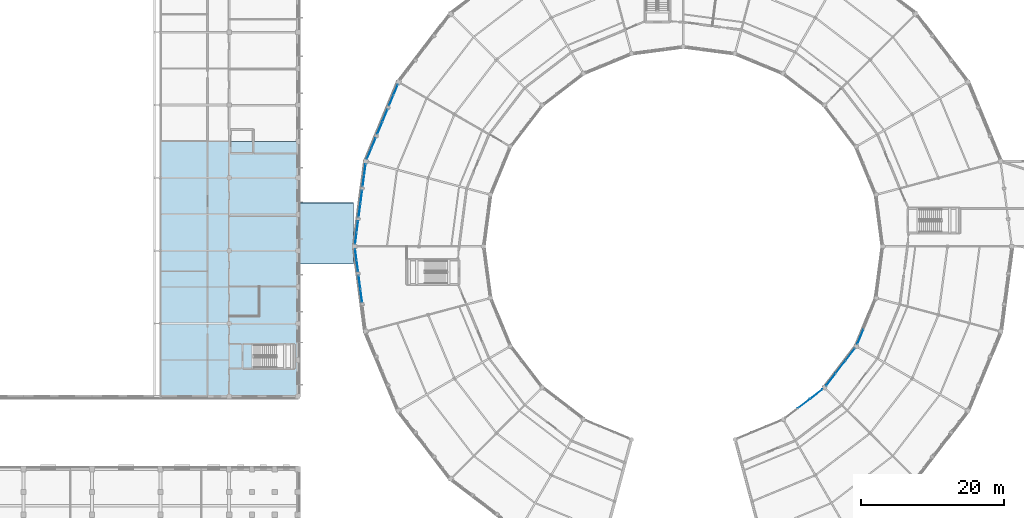
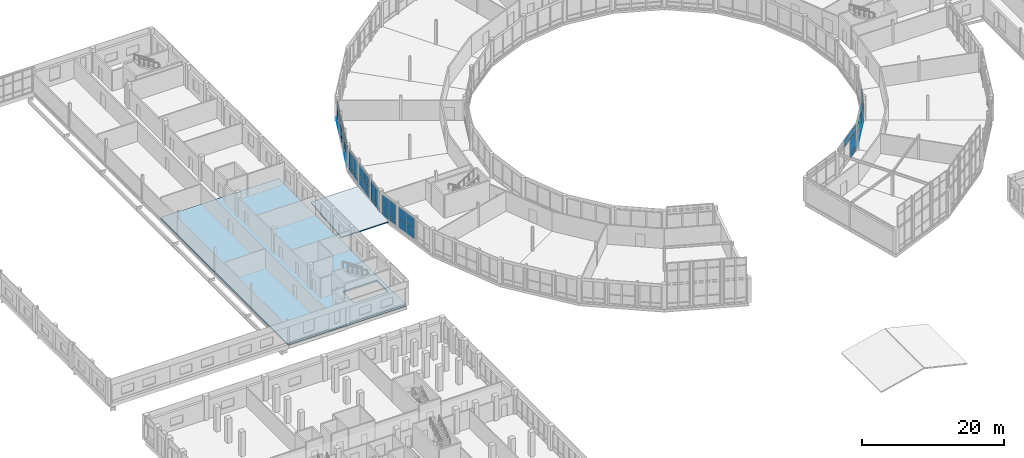
# One storey, part 127 of 170: 44 plates, 2 slabs, 11 elements without a shape of their own.
"""IFC4 building model written with IfcOpenShell, lengths in metres."""

from ifc_helpers import new_model, si_unit, direction, frame, origin, origin_2d, place, context, subcontext, project, spatial, polyline, rectangle, outline, extrude, material, layer, layer_set, type_object, element, aggregate, save


model = new_model("IFC4")

# Units and contexts
model_context = context("Model", 3, precision=1e-05, world=origin(), true_north=direction((0.0, 1.0)))
body_context = subcontext(model_context, "Body", "Model", "MODEL_VIEW")
ifc_project = project(units=[si_unit("LENGTHUNIT", "METRE"), si_unit("AREAUNIT", "SQUARE_METRE"), si_unit("VOLUMEUNIT", "CUBIC_METRE"), si_unit("PLANEANGLEUNIT", "RADIAN"), si_unit("MASSUNIT", "GRAM", prefix="KILO")], contexts=[model_context])

# Site, building, storey
site_placement = place(None, origin())
site = spatial("IfcSite", under=ifc_project, at=site_placement, CompositionType="ELEMENT")
building_placement = place(site_placement, origin())
building = spatial("IfcBuilding", under=site, at=building_placement, Name="Vondelvale Polytechnic", CompositionType="ELEMENT")
storey_placement = place(building_placement, frame((0.0, 0.0, 5.39990234375)))
storey = spatial("IfcBuildingStorey", under=building, at=storey_placement, Name="L01", CompositionType="ELEMENT", Elevation=5.39990234375)

# Curtain wall, plates
ifc_material_1 = material(Name="Glulam GL18 structural Tasmanian oak (fb = 42 MPa)", Category="wood")
curtain_wall_type_1 = type_object("IfcCurtainWallType", Name="CW-RING-OUTER", PredefinedType="NOTDEFINED", material=ifc_material_1)
curtain_wall_1_placement = place(storey_placement, origin())
curtain_wall_1 = element("IfcCurtainWall", 1, at=curtain_wall_1_placement, inside=storey, type_object=curtain_wall_type_1, Name="L01 architectural curtain wall CW-04-230", PredefinedType="NOTDEFINED")
ifc_material_2 = material(Name="Double-glazed low-E insulated architectural glass", Category="glass")
ifc_layer_1 = layer(ifc_material_2, 0.028076171875)
ifc_layer_set_1 = layer_set([ifc_layer_1], Name="CW-PANEL-GLAZED")
plate_type_1 = type_object("IfcPlateType", Name="CW-PANEL-GLAZED", PredefinedType="CURTAIN_PANEL", material=ifc_layer_set_1)
plate_1_placement = place(storey_placement, frame((61.7177734375, 93.92578125, 0.7802734375), z_axis=(0.0, 0.0, 1.0), x_axis=(-0.382677394529, -0.923882033442, 0.0)))
plate_1 = element("IfcPlate", 2, at=plate_1_placement, type_object=plate_type_1, Name="CW-04-230 panel 1.2", PredefinedType="CURTAIN_PANEL", context=body_context, shape_type="SweptSolid", body=[
    extrude(rectangle(XDim=1.530029296875, YDim=0.028076171875, at=origin_2d()), origin(), (0.0, 0.0, 1.0), 2.8798828125),
])
plate_2_placement = place(storey_placement, frame((61.107421875, 92.4521484375, 0.7802734375), z_axis=(0.0, 0.0, 1.0), x_axis=(-0.382677394529, -0.923882033442, 0.0)))
plate_2 = element("IfcPlate", 3, at=plate_2_placement, type_object=plate_type_1, Name="CW-04-230 panel 2.2", PredefinedType="CURTAIN_PANEL", context=body_context, shape_type="SweptSolid", body=[
    extrude(rectangle(XDim=1.530029296875, YDim=0.028076171875, at=origin_2d()), origin(), (0.0, 0.0, 1.0), 2.8798828125),
])

curtain_wall_2_placement = place(storey_placement, origin())
curtain_wall_2 = element("IfcCurtainWall", 4, at=curtain_wall_2_placement, inside=storey, type_object=curtain_wall_type_1, Name="L01 architectural curtain wall CW-04-232", PredefinedType="NOTDEFINED")
plate_3_placement = place(storey_placement, frame((58.622802734375, 86.453369140625, 0.7802734375), z_axis=(0.0, 0.0, 1.0), x_axis=(-0.382677394529, -0.923882033442, 0.0)))
plate_3 = element("IfcPlate", 5, at=plate_3_placement, type_object=plate_type_1, Name="CW-04-232 panel 1.2", PredefinedType="CURTAIN_PANEL", context=body_context, shape_type="SweptSolid", body=[
    extrude(rectangle(XDim=1.530029296875, YDim=0.028076171875, at=origin_2d()), origin(), (0.0, 0.0, 1.0), 2.8798828125),
])
plate_4_placement = place(storey_placement, frame((58.01220703125, 84.97998046875, 0.7802734375), z_axis=(0.0, 0.0, 1.0), x_axis=(-0.382677394529, -0.923882033442, 0.0)))
plate_4 = element("IfcPlate", 6, at=plate_4_placement, type_object=plate_type_1, Name="CW-04-232 panel 2.2", PredefinedType="CURTAIN_PANEL", context=body_context, shape_type="SweptSolid", body=[
    extrude(rectangle(XDim=1.530029296875, YDim=0.028076171875, at=origin_2d()), origin(), (0.0, 0.0, 1.0), 2.8798828125),
])

curtain_wall_3_placement = place(storey_placement, origin())
curtain_wall_3 = element("IfcCurtainWall", 7, at=curtain_wall_3_placement, inside=storey, type_object=curtain_wall_type_1, Name="L01 architectural curtain wall CW-04-245", PredefinedType="NOTDEFINED")
plate_5_placement = place(storey_placement, frame((57.415771484375, 82.7529296875, 0.7802734375), z_axis=(0.0, 0.0, 1.0), x_axis=(-0.130539547729, -0.991443102996, 0.0)))
plate_5 = element("IfcPlate", 8, at=plate_5_placement, type_object=plate_type_1, Name="CW-04-245 panel 1.2", PredefinedType="CURTAIN_PANEL", context=body_context, shape_type="SweptSolid", body=[
    extrude(rectangle(XDim=1.530029296875, YDim=0.028076171875, at=origin_2d()), origin(), (0.0, 0.0, 1.0), 2.8798828125),
])
plate_6_placement = place(storey_placement, frame((57.20751953125, 81.171630859375, 0.7802734375), z_axis=(0.0, 0.0, 1.0), x_axis=(-0.130539547729, -0.991443102996, 0.0)))
plate_6 = element("IfcPlate", 9, at=plate_6_placement, type_object=plate_type_1, Name="CW-04-245 panel 2.2", PredefinedType="CURTAIN_PANEL", context=body_context, shape_type="SweptSolid", body=[
    extrude(rectangle(XDim=1.530029296875, YDim=0.028076171875, at=origin_2d()), origin(), (0.0, 0.0, 1.0), 2.8798828125),
])

curtain_wall_4_placement = place(storey_placement, origin())
curtain_wall_4 = element("IfcCurtainWall", 10, at=curtain_wall_4_placement, inside=storey, type_object=curtain_wall_type_1, Name="L01 architectural curtain wall CW-04-246", PredefinedType="NOTDEFINED")
plate_7_placement = place(storey_placement, frame((56.906005859375, 78.8818359375, 1.6298828125), z_axis=(0.0, 0.0, 1.0), x_axis=(-0.130497251349, -0.991448671082, 0.0)))
plate_7 = element("IfcPlate", 11, at=plate_7_placement, type_object=plate_type_1, Name="CW-04-246 panel 1.2", PredefinedType="CURTAIN_PANEL", context=body_context, shape_type="SweptSolid", body=[
    extrude(rectangle(XDim=1.80908203125, YDim=0.028076171875, at=origin_2d()), origin(), (0.0, 0.0, 1.0), 2.030029296875),
])
plate_8_placement = place(storey_placement, frame((56.661376953125, 77.02392578125, 1.6298828125), z_axis=(0.0, 0.0, 1.0), x_axis=(-0.130497251349, -0.991448671082, 0.0)))
plate_8 = element("IfcPlate", 12, at=plate_8_placement, type_object=plate_type_1, Name="CW-04-246 panel 2.2", PredefinedType="CURTAIN_PANEL", context=body_context, shape_type="SweptSolid", body=[
    extrude(rectangle(XDim=1.80908203125, YDim=0.028076171875, at=origin_2d()), origin(), (0.0, 0.0, 1.0), 2.030029296875),
])

curtain_wall_5_placement = place(storey_placement, origin())
curtain_wall_5 = element("IfcCurtainWall", 13, at=curtain_wall_5_placement, inside=storey, type_object=curtain_wall_type_1, Name="L01 architectural curtain wall CW-04-247", PredefinedType="NOTDEFINED")
plate_9_placement = place(storey_placement, frame((56.35986328125, 74.734130859375, 0.7802734375), z_axis=(0.0, 0.0, 1.0), x_axis=(-0.130539547729, -0.991443102996, 0.0)))
plate_9 = element("IfcPlate", 14, at=plate_9_placement, type_object=plate_type_1, Name="CW-04-247 panel 1.2", PredefinedType="CURTAIN_PANEL", context=body_context, shape_type="SweptSolid", body=[
    extrude(rectangle(XDim=1.530029296875, YDim=0.028076171875, at=origin_2d()), origin(), (0.0, 0.0, 1.0), 2.8798828125),
])
plate_10_placement = place(storey_placement, frame((56.15185546875, 73.15283203125, 0.7802734375), z_axis=(0.0, 0.0, 1.0), x_axis=(-0.130539547729, -0.991443102996, 0.0)))
plate_10 = element("IfcPlate", 15, at=plate_10_placement, type_object=plate_type_1, Name="CW-04-247 panel 2.2", PredefinedType="CURTAIN_PANEL", context=body_context, shape_type="SweptSolid", body=[
    extrude(rectangle(XDim=1.530029296875, YDim=0.028076171875, at=origin_2d()), origin(), (0.0, 0.0, 1.0), 2.8798828125),
])

curtain_wall_6_placement = place(storey_placement, origin())
curtain_wall_6 = element("IfcCurtainWall", 16, at=curtain_wall_6_placement, inside=storey, type_object=curtain_wall_type_1, Name="L01 architectural curtain wall CW-04-260", PredefinedType="NOTDEFINED")
plate_11_placement = place(storey_placement, frame((56.15185546875, 70.84716796875, 0.7802734375), z_axis=(0.0, 0.0, 1.0), x_axis=(0.130539547729, -0.991443102996, 0.0)))
plate_11 = element("IfcPlate", 17, at=plate_11_placement, type_object=plate_type_1, Name="CW-04-260 panel 1.2", PredefinedType="CURTAIN_PANEL", context=body_context, shape_type="SweptSolid", body=[
    extrude(rectangle(XDim=1.530029296875, YDim=0.028076171875, at=origin_2d()), origin(), (0.0, 0.0, 1.0), 2.8798828125),
])
plate_12_placement = place(storey_placement, frame((56.35986328125, 69.265869140625, 0.7802734375), z_axis=(0.0, 0.0, 1.0), x_axis=(0.130539547729, -0.991443102996, 0.0)))
plate_12 = element("IfcPlate", 18, at=plate_12_placement, type_object=plate_type_1, Name="CW-04-260 panel 2.2", PredefinedType="CURTAIN_PANEL", context=body_context, shape_type="SweptSolid", body=[
    extrude(rectangle(XDim=1.530029296875, YDim=0.028076171875, at=origin_2d()), origin(), (0.0, 0.0, 1.0), 2.8798828125),
])

ifc_material_3 = material(Name="Anodised extruded aluminium 6063-T6", Category="aluminium")
curtain_wall_type_2 = type_object("IfcCurtainWallType", Name="CW-RING-CLOISTER", PredefinedType="NOTDEFINED", material=ifc_material_3)
curtain_wall_7_placement = place(storey_placement, origin())
curtain_wall_7 = element("IfcCurtainWall", 19, at=curtain_wall_7_placement, inside=storey, type_object=curtain_wall_type_2, Name="L01 architectural curtain wall CW-03-344", PredefinedType="NOTDEFINED")
plate_13_placement = place(storey_placement, frame((118.8994140625, 49.97607421875, 3.395751953125), z_axis=(0.0, 0.0, 1.0), x_axis=(0.793363861089, 0.608747717793, 0.0)))
plate_13 = element("IfcPlate", 20, at=plate_13_placement, type_object=plate_type_1, Name="CW-03-344 panel 2.3", PredefinedType="CURTAIN_PANEL", context=body_context, shape_type="SweptSolid", body=[
    extrude(rectangle(XDim=2.1474609375, YDim=0.028076171875, at=origin_2d()), origin(), (0.0, 0.0, 1.0), 1.25244140625),
])
plate_14_placement = place(storey_placement, frame((120.644775390625, 51.3154296875, 0.78271484375), z_axis=(0.0, 0.0, 1.0), x_axis=(0.793363861089, 0.608747717793, 0.0)))
plate_14 = element("IfcPlate", 21, at=plate_14_placement, type_object=plate_type_1, Name="CW-03-344 panel 3.2", PredefinedType="CURTAIN_PANEL", context=body_context, shape_type="SweptSolid", body=[
    extrude(rectangle(XDim=2.1123046875, YDim=0.028076171875, at=origin_2d()), origin(), (0.0, 0.0, 1.0), 2.548095703125),
])
plate_15_placement = place(storey_placement, frame((120.644775390625, 51.3154296875, 3.395751953125), z_axis=(0.0, 0.0, 1.0), x_axis=(0.793363861089, 0.608747717793, 0.0)))
plate_15 = element("IfcPlate", 22, at=plate_15_placement, type_object=plate_type_1, Name="CW-03-344 panel 3.3", PredefinedType="CURTAIN_PANEL", context=body_context, shape_type="SweptSolid", body=[
    extrude(rectangle(XDim=2.1123046875, YDim=0.028076171875, at=origin_2d()), origin(), (0.0, 0.0, 1.0), 1.25244140625),
])

curtain_wall_8_placement = place(storey_placement, origin())
curtain_wall_8 = element("IfcCurtainWall", 23, at=curtain_wall_8_placement, inside=storey, type_object=curtain_wall_type_2, Name="L01 architectural curtain wall CW-03-351", PredefinedType="NOTDEFINED")
plate_16_placement = place(storey_placement, frame((122.6845703125, 53.355224609375, 0.78271484375), z_axis=(0.0, 0.0, 1.0), x_axis=(0.608747717793, 0.793363861089, 0.0)))
plate_16 = element("IfcPlate", 24, at=plate_16_placement, type_object=plate_type_1, Name="CW-03-351 panel 1.2", PredefinedType="CURTAIN_PANEL", context=body_context, shape_type="SweptSolid", body=[
    extrude(rectangle(XDim=2.1123046875, YDim=0.028076171875, at=origin_2d()), origin(), (0.0, 0.0, 1.0), 2.902587890625),
])
plate_17_placement = place(storey_placement, frame((124.02392578125, 55.1005859375, 0.78271484375), z_axis=(0.0, 0.0, 1.0), x_axis=(0.608747717793, 0.793363861089, 0.0)))
plate_17 = element("IfcPlate", 25, at=plate_17_placement, type_object=plate_type_1, Name="CW-03-351 panel 2.2", PredefinedType="CURTAIN_PANEL", context=body_context, shape_type="SweptSolid", body=[
    extrude(rectangle(XDim=2.1474609375, YDim=0.028076171875, at=origin_2d()), origin(), (0.0, 0.0, 1.0), 2.902587890625),
])
plate_18_placement = place(storey_placement, frame((125.363037109375, 56.845703125, 0.78271484375), z_axis=(0.0, 0.0, 1.0), x_axis=(0.608747717793, 0.793363861089, 0.0)))
plate_18 = element("IfcPlate", 26, at=plate_18_placement, type_object=plate_type_1, Name="CW-03-351 panel 3.2", PredefinedType="CURTAIN_PANEL", context=body_context, shape_type="SweptSolid", body=[
    extrude(rectangle(XDim=2.1123046875, YDim=0.028076171875, at=origin_2d()), origin(), (0.0, 0.0, 1.0), 2.902587890625),
])

# Curtain wall, plate
curtain_wall_9_placement = place(storey_placement, origin())
curtain_wall_9 = element("IfcCurtainWall", 27, at=curtain_wall_9_placement, inside=storey, type_object=curtain_wall_type_2, Name="L01 architectural curtain wall CW-03-362", PredefinedType="NOTDEFINED")
plate_19_placement = place(storey_placement, frame((126.805908203125, 59.344970703125, 0.78271484375), z_axis=(0.0, 0.0, 1.0), x_axis=(0.382678531697, 0.923881562419, 0.0)))
plate_19 = element("IfcPlate", 28, at=plate_19_placement, type_object=plate_type_1, Name="CW-03-362 panel 1.2", PredefinedType="CURTAIN_PANEL", context=body_context, shape_type="SweptSolid", body=[
    extrude(rectangle(XDim=2.111572265625, YDim=0.028076171875, at=origin_2d()), origin(), (0.0, 0.0, 1.0), 2.902587890625),
])

# Curtain wall, plates
curtain_wall_10_placement = place(storey_placement, origin())
curtain_wall_10 = element("IfcCurtainWall", 29, at=curtain_wall_10_placement, inside=storey, type_object=curtain_wall_type_1, Name="L01 architectural curtain wall CW-04-231", PredefinedType="NOTDEFINED")
ifc_material_4 = material(Name="Engineered Tasmanian oak studio and bridge joinery")
ifc_layer_2 = layer(ifc_material_4, 0.0419921875)
ifc_layer_set_2 = layer_set([ifc_layer_2], Name="CW-PANEL-OAK")
plate_type_2 = type_object("IfcPlateType", Name="CW-PANEL-OAK", PredefinedType="CURTAIN_PANEL", material=ifc_layer_set_2)
plate_20_placement = place(storey_placement, frame((60.2236328125, 90.318603515625, 0.06005859375), z_axis=(0.0, 0.0, 1.0), x_axis=(-0.382694599123, -0.92387490701, 0.0)))
plate_20 = element("IfcPlate", 30, at=plate_20_placement, type_object=plate_type_2, Name="CW-04-231 panel 1.1", PredefinedType="CURTAIN_PANEL", context=body_context, shape_type="SweptSolid", body=[
    extrude(rectangle(XDim=1.80908203125, YDim=0.0419921875, at=origin_2d()), origin(), (0.0, 0.0, 1.0), 1.510009765625),
])
plate_21_placement = place(storey_placement, frame((60.2236328125, 90.318603515625, 1.6298828125), z_axis=(0.0, 0.0, 1.0), x_axis=(-0.382694599123, -0.92387490701, 0.0)))
plate_21 = element("IfcPlate", 31, at=plate_21_placement, type_object=plate_type_2, Name="CW-04-231 panel 1.2", PredefinedType="CURTAIN_PANEL", context=body_context, shape_type="SweptSolid", body=[
    extrude(rectangle(XDim=1.80908203125, YDim=0.0419921875, at=origin_2d()), origin(), (0.0, 0.0, 1.0), 2.030029296875),
])
plate_22_placement = place(storey_placement, frame((59.506591796875, 88.587158203125, 0.06005859375), z_axis=(0.0, 0.0, 1.0), x_axis=(-0.382694599123, -0.92387490701, 0.0)))
plate_22 = element("IfcPlate", 32, at=plate_22_placement, type_object=plate_type_2, Name="CW-04-231 panel 2.1", PredefinedType="CURTAIN_PANEL", context=body_context, shape_type="SweptSolid", body=[
    extrude(rectangle(XDim=1.80908203125, YDim=0.0419921875, at=origin_2d()), origin(), (0.0, 0.0, 1.0), 1.510009765625),
])
plate_23_placement = place(storey_placement, frame((59.506591796875, 88.587158203125, 1.6298828125), z_axis=(0.0, 0.0, 1.0), x_axis=(-0.382694599123, -0.92387490701, 0.0)))
plate_23 = element("IfcPlate", 33, at=plate_23_placement, type_object=plate_type_2, Name="CW-04-231 panel 2.2", PredefinedType="CURTAIN_PANEL", context=body_context, shape_type="SweptSolid", body=[
    extrude(rectangle(XDim=1.80908203125, YDim=0.0419921875, at=origin_2d()), origin(), (0.0, 0.0, 1.0), 2.030029296875),
])
aggregate(curtain_wall_10, [plate_20, plate_21, plate_22, plate_23])

# Plate
plate_24_placement = place(storey_placement, frame((56.906005859375, 78.8818359375, 0.06005859375), z_axis=(0.0, 0.0, 1.0), x_axis=(-0.130497251349, -0.991448671082, 0.0)))
plate_24 = element("IfcPlate", 34, at=plate_24_placement, type_object=plate_type_2, Name="CW-04-246 panel 1.1", PredefinedType="CURTAIN_PANEL", context=body_context, shape_type="SweptSolid", body=[
    extrude(rectangle(XDim=1.80908203125, YDim=0.0419921875, at=origin_2d()), origin(), (0.0, 0.0, 1.0), 1.510009765625),
])

plate_25_placement = place(storey_placement, frame((56.661376953125, 77.02392578125, 0.06005859375), z_axis=(0.0, 0.0, 1.0), x_axis=(-0.130497251349, -0.991448671082, 0.0)))
plate_25 = element("IfcPlate", 35, at=plate_25_placement, type_object=plate_type_2, Name="CW-04-246 panel 2.1", PredefinedType="CURTAIN_PANEL", context=body_context, shape_type="SweptSolid", body=[
    extrude(rectangle(XDim=1.80908203125, YDim=0.0419921875, at=origin_2d()), origin(), (0.0, 0.0, 1.0), 1.510009765625),
])

aggregate(curtain_wall_4, [plate_24, plate_7, plate_25, plate_8])

# Curtain wall, plates
curtain_wall_11_placement = place(storey_placement, origin())
curtain_wall_11 = element("IfcCurtainWall", 36, at=curtain_wall_11_placement, inside=storey, type_object=curtain_wall_type_1, Name="L01 architectural curtain wall CW-04-261", PredefinedType="NOTDEFINED")
plate_26_placement = place(storey_placement, frame((56.661376953125, 66.97607421875, 0.06005859375), z_axis=(0.0, 0.0, 1.0), x_axis=(0.130497251349, -0.991448671082, 0.0)))
plate_26 = element("IfcPlate", 37, at=plate_26_placement, type_object=plate_type_2, Name="CW-04-261 panel 1.1", PredefinedType="CURTAIN_PANEL", context=body_context, shape_type="SweptSolid", body=[
    extrude(rectangle(XDim=1.80908203125, YDim=0.0419921875, at=origin_2d()), origin(), (0.0, 0.0, 1.0), 1.510009765625),
])
plate_27_placement = place(storey_placement, frame((56.661376953125, 66.97607421875, 1.6298828125), z_axis=(0.0, 0.0, 1.0), x_axis=(0.130497251349, -0.991448671082, 0.0)))
plate_27 = element("IfcPlate", 38, at=plate_27_placement, type_object=plate_type_2, Name="CW-04-261 panel 1.2", PredefinedType="CURTAIN_PANEL", context=body_context, shape_type="SweptSolid", body=[
    extrude(rectangle(XDim=1.80908203125, YDim=0.0419921875, at=origin_2d()), origin(), (0.0, 0.0, 1.0), 2.030029296875),
])
plate_28_placement = place(storey_placement, frame((56.906005859375, 65.1181640625, 0.06005859375), z_axis=(0.0, 0.0, 1.0), x_axis=(0.130497251349, -0.991448671082, 0.0)))
plate_28 = element("IfcPlate", 39, at=plate_28_placement, type_object=plate_type_2, Name="CW-04-261 panel 2.1", PredefinedType="CURTAIN_PANEL", context=body_context, shape_type="SweptSolid", body=[
    extrude(rectangle(XDim=1.80908203125, YDim=0.0419921875, at=origin_2d()), origin(), (0.0, 0.0, 1.0), 1.510009765625),
])
plate_29_placement = place(storey_placement, frame((56.906005859375, 65.1181640625, 1.6298828125), z_axis=(0.0, 0.0, 1.0), x_axis=(0.130497251349, -0.991448671082, 0.0)))
plate_29 = element("IfcPlate", 40, at=plate_29_placement, type_object=plate_type_2, Name="CW-04-261 panel 2.2", PredefinedType="CURTAIN_PANEL", context=body_context, shape_type="SweptSolid", body=[
    extrude(rectangle(XDim=1.80908203125, YDim=0.0419921875, at=origin_2d()), origin(), (0.0, 0.0, 1.0), 2.030029296875),
])
aggregate(curtain_wall_11, [plate_26, plate_27, plate_28, plate_29])

# Plate
plate_30_placement = place(storey_placement, frame((120.644775390625, 51.3154296875, 0.06494140625), z_axis=(0.0, 0.0, 1.0), x_axis=(0.793363861089, 0.608747717793, 0.0)))
plate_30 = element("IfcPlate", 41, at=plate_30_placement, type_object=plate_type_2, Name="CW-03-344 panel 3.1", PredefinedType="CURTAIN_PANEL", context=body_context, shape_type="SweptSolid", body=[
    extrude(rectangle(XDim=2.1123046875, YDim=0.0419921875, at=origin_2d()), origin(), (0.0, 0.0, 1.0), 0.652587890625),
])

aggregate(curtain_wall_7, [plate_13, plate_30, plate_14, plate_15])

plate_31_placement = place(storey_placement, frame((122.6845703125, 53.355224609375, 0.06494140625), z_axis=(0.0, 0.0, 1.0), x_axis=(0.608747717793, 0.793363861089, 0.0)))
plate_31 = element("IfcPlate", 42, at=plate_31_placement, type_object=plate_type_2, Name="CW-03-351 panel 1.1", PredefinedType="CURTAIN_PANEL", context=body_context, shape_type="SweptSolid", body=[
    extrude(rectangle(XDim=2.1123046875, YDim=0.0419921875, at=origin_2d()), origin(), (0.0, 0.0, 1.0), 0.652587890625),
])

plate_32_placement = place(storey_placement, frame((124.02392578125, 55.1005859375, 0.06494140625), z_axis=(0.0, 0.0, 1.0), x_axis=(0.608747717793, 0.793363861089, 0.0)))
plate_32 = element("IfcPlate", 43, at=plate_32_placement, type_object=plate_type_2, Name="CW-03-351 panel 2.1", PredefinedType="CURTAIN_PANEL", context=body_context, shape_type="SweptSolid", body=[
    extrude(rectangle(XDim=2.1474609375, YDim=0.0419921875, at=origin_2d()), origin(), (0.0, 0.0, 1.0), 0.652587890625),
])

plate_33_placement = place(storey_placement, frame((125.363037109375, 56.845703125, 0.06494140625), z_axis=(0.0, 0.0, 1.0), x_axis=(0.608747717793, 0.793363861089, 0.0)))
plate_33 = element("IfcPlate", 44, at=plate_33_placement, type_object=plate_type_2, Name="CW-03-351 panel 3.1", PredefinedType="CURTAIN_PANEL", context=body_context, shape_type="SweptSolid", body=[
    extrude(rectangle(XDim=2.1123046875, YDim=0.0419921875, at=origin_2d()), origin(), (0.0, 0.0, 1.0), 0.652587890625),
])

aggregate(curtain_wall_8, [plate_31, plate_16, plate_32, plate_17, plate_33, plate_18])

plate_34_placement = place(storey_placement, frame((126.805908203125, 59.344970703125, 0.06494140625), z_axis=(0.0, 0.0, 1.0), x_axis=(0.382678531697, 0.923881562419, 0.0)))
plate_34 = element("IfcPlate", 45, at=plate_34_placement, type_object=plate_type_2, Name="CW-03-362 panel 1.1", PredefinedType="CURTAIN_PANEL", context=body_context, shape_type="SweptSolid", body=[
    extrude(rectangle(XDim=2.111572265625, YDim=0.0419921875, at=origin_2d()), origin(), (0.0, 0.0, 1.0), 0.652587890625),
])

aggregate(curtain_wall_9, [plate_34, plate_19])

ifc_material_5 = material(Name="Kiln-fired architectural terracotta", Category="masonry")
ifc_layer_3 = layer(ifc_material_5, 0.035888671875)
ifc_layer_set_3 = layer_set([ifc_layer_3], Name="CW-PANEL-SPANDREL")
plate_type_3 = type_object("IfcPlateType", Name="CW-PANEL-SPANDREL", PredefinedType="CURTAIN_PANEL", material=ifc_layer_set_3)
plate_35_placement = place(storey_placement, frame((61.7177734375, 93.92578125, 0.06005859375), z_axis=(0.0, 0.0, 1.0), x_axis=(-0.382677394529, -0.923882033442, 0.0)))
plate_35 = element("IfcPlate", 46, at=plate_35_placement, type_object=plate_type_3, Name="CW-04-230 panel 1.1", PredefinedType="CURTAIN_PANEL", context=body_context, shape_type="SweptSolid", body=[
    extrude(rectangle(XDim=1.530029296875, YDim=0.035888671875, at=origin_2d()), origin(), (0.0, 0.0, 1.0), 0.659912109375),
])

plate_36_placement = place(storey_placement, frame((61.107421875, 92.4521484375, 0.06005859375), z_axis=(0.0, 0.0, 1.0), x_axis=(-0.382677394529, -0.923882033442, 0.0)))
plate_36 = element("IfcPlate", 47, at=plate_36_placement, type_object=plate_type_3, Name="CW-04-230 panel 2.1", PredefinedType="CURTAIN_PANEL", context=body_context, shape_type="SweptSolid", body=[
    extrude(rectangle(XDim=1.530029296875, YDim=0.035888671875, at=origin_2d()), origin(), (0.0, 0.0, 1.0), 0.659912109375),
])

aggregate(curtain_wall_1, [plate_35, plate_1, plate_36, plate_2])

plate_37_placement = place(storey_placement, frame((58.622802734375, 86.453369140625, 0.06005859375), z_axis=(0.0, 0.0, 1.0), x_axis=(-0.382677394529, -0.923882033442, 0.0)))
plate_37 = element("IfcPlate", 48, at=plate_37_placement, type_object=plate_type_3, Name="CW-04-232 panel 1.1", PredefinedType="CURTAIN_PANEL", context=body_context, shape_type="SweptSolid", body=[
    extrude(rectangle(XDim=1.530029296875, YDim=0.035888671875, at=origin_2d()), origin(), (0.0, 0.0, 1.0), 0.659912109375),
])

plate_38_placement = place(storey_placement, frame((58.01220703125, 84.97998046875, 0.06005859375), z_axis=(0.0, 0.0, 1.0), x_axis=(-0.382677394529, -0.923882033442, 0.0)))
plate_38 = element("IfcPlate", 49, at=plate_38_placement, type_object=plate_type_3, Name="CW-04-232 panel 2.1", PredefinedType="CURTAIN_PANEL", context=body_context, shape_type="SweptSolid", body=[
    extrude(rectangle(XDim=1.530029296875, YDim=0.035888671875, at=origin_2d()), origin(), (0.0, 0.0, 1.0), 0.659912109375),
])

aggregate(curtain_wall_2, [plate_37, plate_3, plate_38, plate_4])

plate_39_placement = place(storey_placement, frame((57.415771484375, 82.7529296875, 0.06005859375), z_axis=(0.0, 0.0, 1.0), x_axis=(-0.130539547729, -0.991443102996, 0.0)))
plate_39 = element("IfcPlate", 50, at=plate_39_placement, type_object=plate_type_3, Name="CW-04-245 panel 1.1", PredefinedType="CURTAIN_PANEL", context=body_context, shape_type="SweptSolid", body=[
    extrude(rectangle(XDim=1.530029296875, YDim=0.035888671875, at=origin_2d()), origin(), (0.0, 0.0, 1.0), 0.659912109375),
])

plate_40_placement = place(storey_placement, frame((57.20751953125, 81.171630859375, 0.06005859375), z_axis=(0.0, 0.0, 1.0), x_axis=(-0.130539547729, -0.991443102996, 0.0)))
plate_40 = element("IfcPlate", 51, at=plate_40_placement, type_object=plate_type_3, Name="CW-04-245 panel 2.1", PredefinedType="CURTAIN_PANEL", context=body_context, shape_type="SweptSolid", body=[
    extrude(rectangle(XDim=1.530029296875, YDim=0.035888671875, at=origin_2d()), origin(), (0.0, 0.0, 1.0), 0.659912109375),
])

aggregate(curtain_wall_3, [plate_39, plate_5, plate_40, plate_6])

plate_41_placement = place(storey_placement, frame((56.35986328125, 74.734130859375, 0.06005859375), z_axis=(0.0, 0.0, 1.0), x_axis=(-0.130539547729, -0.991443102996, 0.0)))
plate_41 = element("IfcPlate", 52, at=plate_41_placement, type_object=plate_type_3, Name="CW-04-247 panel 1.1", PredefinedType="CURTAIN_PANEL", context=body_context, shape_type="SweptSolid", body=[
    extrude(rectangle(XDim=1.530029296875, YDim=0.035888671875, at=origin_2d()), origin(), (0.0, 0.0, 1.0), 0.659912109375),
])

plate_42_placement = place(storey_placement, frame((56.15185546875, 73.15283203125, 0.06005859375), z_axis=(0.0, 0.0, 1.0), x_axis=(-0.130539547729, -0.991443102996, 0.0)))
plate_42 = element("IfcPlate", 53, at=plate_42_placement, type_object=plate_type_3, Name="CW-04-247 panel 2.1", PredefinedType="CURTAIN_PANEL", context=body_context, shape_type="SweptSolid", body=[
    extrude(rectangle(XDim=1.530029296875, YDim=0.035888671875, at=origin_2d()), origin(), (0.0, 0.0, 1.0), 0.659912109375),
])

aggregate(curtain_wall_5, [plate_41, plate_9, plate_42, plate_10])

plate_43_placement = place(storey_placement, frame((56.15185546875, 70.84716796875, 0.06005859375), z_axis=(0.0, 0.0, 1.0), x_axis=(0.130539547729, -0.991443102996, 0.0)))
plate_43 = element("IfcPlate", 54, at=plate_43_placement, type_object=plate_type_3, Name="CW-04-260 panel 1.1", PredefinedType="CURTAIN_PANEL", context=body_context, shape_type="SweptSolid", body=[
    extrude(rectangle(XDim=1.530029296875, YDim=0.035888671875, at=origin_2d()), origin(), (0.0, 0.0, 1.0), 0.659912109375),
])

plate_44_placement = place(storey_placement, frame((56.35986328125, 69.265869140625, 0.06005859375), z_axis=(0.0, 0.0, 1.0), x_axis=(0.130539547729, -0.991443102996, 0.0)))
plate_44 = element("IfcPlate", 55, at=plate_44_placement, type_object=plate_type_3, Name="CW-04-260 panel 2.1", PredefinedType="CURTAIN_PANEL", context=body_context, shape_type="SweptSolid", body=[
    extrude(rectangle(XDim=1.530029296875, YDim=0.035888671875, at=origin_2d()), origin(), (0.0, 0.0, 1.0), 0.659912109375),
])

aggregate(curtain_wall_6, [plate_43, plate_11, plate_44, plate_12])

# Slabs
ifc_material_6 = material(Name="Concrete N40 (f'c = 40 MPa)", Category="concrete")
ifc_layer_4 = layer(ifc_material_6, 0.179931640625)
ifc_layer_set_4 = layer_set([ifc_layer_4], Name="SLB-CANOPY-180")
slab_type_1 = type_object("IfcSlabType", Name="SLB-CANOPY-180", PredefinedType="ROOF", material=ifc_layer_set_4)
slab_1_placement = place(storey_placement, frame((48.199951171875, 69.5, 0.25), z_axis=(0.0, -0.092627930906, 0.995700791612), x_axis=(1.0, 0.0, 0.0)))
element("IfcSlab", 56, at=slab_1_placement, inside=storey, type_object=slab_type_1, Name="West passage canopy pitched roof", PredefinedType="ROOF", context=body_context, shape_type="SweptSolid", body=[
    extrude(outline(polyline([(0.0, 0.0), (7.650146484375, 0.0), (7.650146484375, 8.637230911838639), (0.0, 8.637230911838639), (0.0, 0.0)])), origin(), (0.0, 0.0, -1.0), 0.179931640625),
])
ifc_layer_5 = layer(ifc_material_6, 0.25)
ifc_layer_set_5 = layer_set([ifc_layer_5], Name="SLB-LAB-250")
slab_type_2 = type_object("IfcSlabType", Name="SLB-LAB-250", PredefinedType="FLOOR", material=ifc_layer_set_5)
slab_2_placement = place(storey_placement, frame((0.0, 0.0, -0.27978515625)))
element("IfcSlab", 57, at=slab_2_placement, inside=storey, type_object=slab_type_2, Name="L01 workshop support slab ES", PredefinedType="FLOOR", context=body_context, shape_type="SweptSolid", body=[
    extrude(outline(polyline([(28.800048828125, 51.0), (48.0, 51.0), (48.0, 86.699951171875), (28.800048828125, 86.699951171875), (28.800048828125, 51.0)]), holes=[polyline([(41.89990234375, 55.0), (47.449951171875, 55.0), (47.449951171875, 58.199951171875), (41.89990234375, 58.199951171875), (41.89990234375, 55.0)])]), origin(), (0.0, 0.0, 1.0), 0.27978515625),
])

save(model, "model.ifc")
